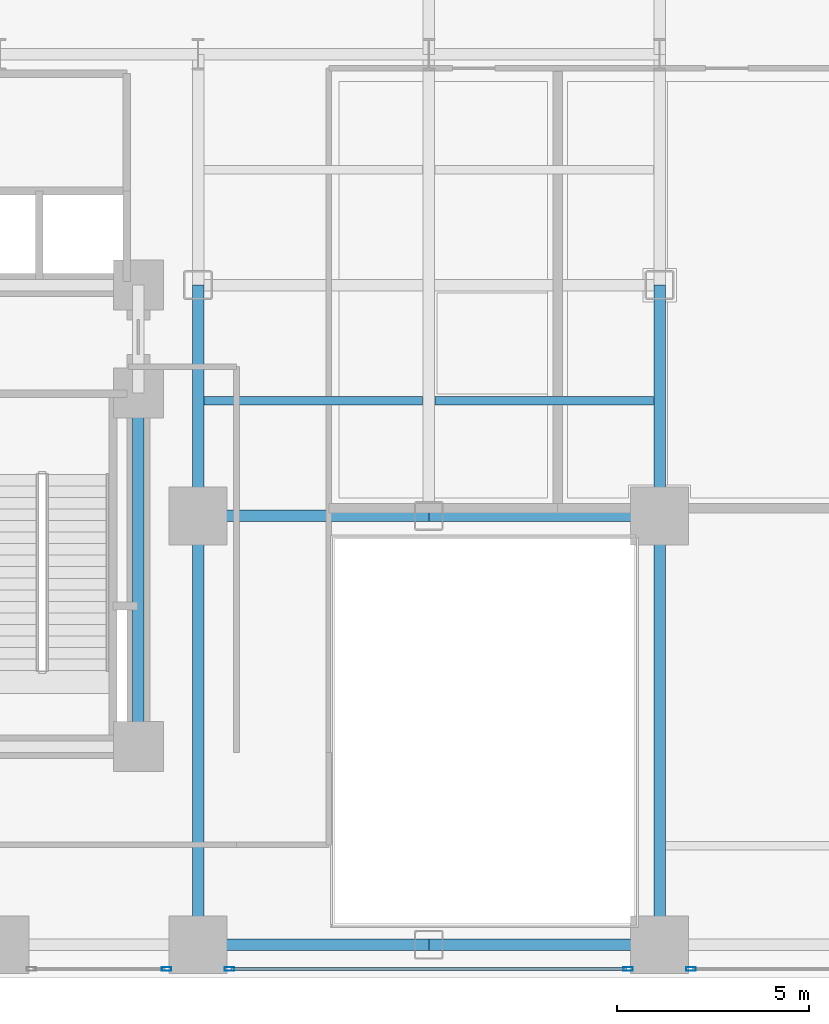
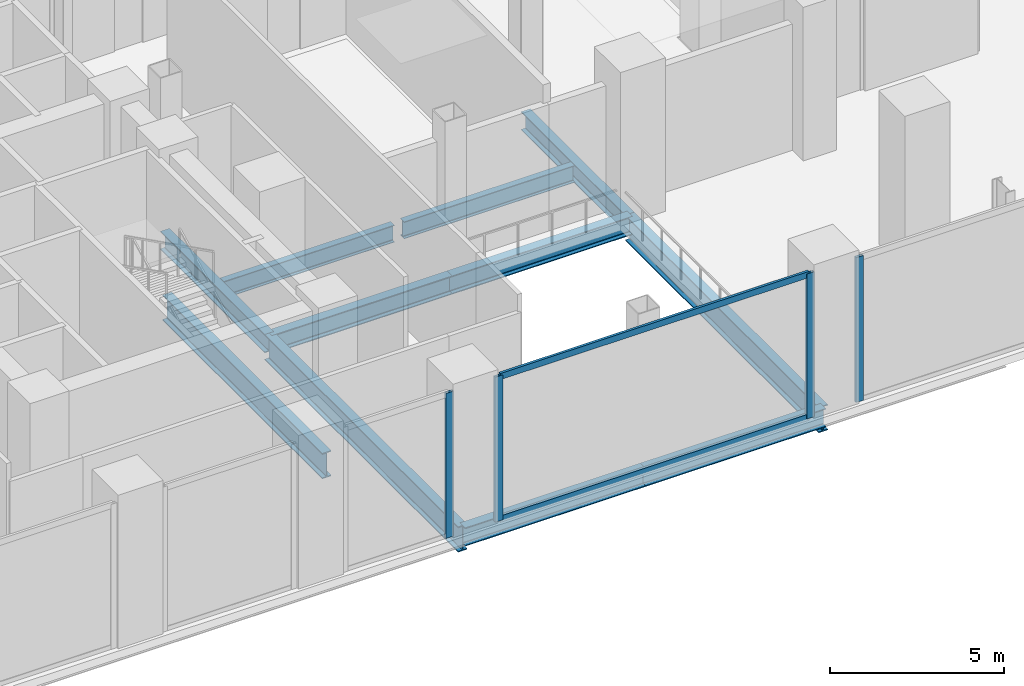
# One storey, part 9 of 28: 11 beams, 6 members, 3 elements without a shape of their own.
"""IFC4 building model written with IfcOpenShell, lengths in metres."""

from ifc_helpers import new_model, si_unit, direction, frame, origin, origin_2d, place, context, subcontext, project, spatial, hollow_rectangle, i_section, extrude, material, layer, layer_set, material_profile, profile_set, type_object, element, aggregate, save


model = new_model("IFC4")

# Units and contexts
model_context = context("Model", 3, precision=1e-05, world=origin(), true_north=direction((0.0, 1.0)))
body_context = subcontext(model_context, "Body", "Model", "MODEL_VIEW")
ifc_project = project(units=[si_unit("LENGTHUNIT", "METRE"), si_unit("AREAUNIT", "SQUARE_METRE"), si_unit("VOLUMEUNIT", "CUBIC_METRE"), si_unit("PLANEANGLEUNIT", "RADIAN"), si_unit("MASSUNIT", "GRAM", prefix="KILO"), si_unit("THERMODYNAMICTEMPERATUREUNIT", "KELVIN"), si_unit("POWERUNIT", "WATT")], contexts=[model_context])

# Site, building, storey
site_placement = place(None, origin())
site = spatial("IfcSite", under=ifc_project, at=site_placement, CompositionType="ELEMENT")
building_placement = place(site_placement, origin())
building = spatial("IfcBuilding", under=site, at=building_placement, Name="Svarakhadi Broadcast Tower", CompositionType="ELEMENT")
storey_placement = place(building_placement, frame((0.0, 0.0, 11.10009765625)))
storey = spatial("IfcBuildingStorey", under=building, at=storey_placement, Name="L02", CompositionType="ELEMENT", Elevation=11.10009765625)

# Beams
ifc_material_1 = material(Name="Steel S355J2 (IS 2062 E350C)", Category="steel")
ifc_material_profile_1 = material_profile(ifc_material_1, i_section(OverallWidth=0.219970703125, OverallDepth=0.60009765625, WebThickness=0.011962890625, FlangeThickness=0.01904296875, FilletRadius=0.02392578125, at=origin_2d()), Name="NPB 600x220x122")
ifc_profile_set_1 = profile_set([ifc_material_profile_1], Name="Steel S355J2 (IS 2062 E350C)")
beam_type_1 = type_object("IfcBeamType", Name="Beam_NPB600", PredefinedType="BEAM", material=ifc_profile_set_1)
for number, where, z_axis, x_axis, name in (
    (1, (35.31005859375, 15.0, -0.5751953125), (1.0, 0.0, 0.0), (0.0, 1.0, 0.0), "L02 Secondary Composite Beam SB017"),
    (2, (41.31005859375, 15.0, -0.5751953125), (1.0, 0.0, 0.0), (0.0, 1.0, 0.0), "L02 Secondary Composite Beam SB019"),
):
    element("IfcBeam", number, at=place(storey_placement, frame(where, z_axis=z_axis, x_axis=x_axis)), inside=storey, type_object=beam_type_1, Name=name, PredefinedType="BEAM", context=body_context, shape_type="SweptSolid", body=[
        extrude(i_section(OverallWidth=0.219970703125, OverallDepth=0.60009765625, WebThickness=0.011962890625, FlangeThickness=0.01904296875, FilletRadius=0.02392578125, at=origin_2d()), origin(), (0.0, 0.0, 1.0), 5.679931640625),
    ])

# Curtain wall, member
ifc_material_2 = material(Name="Anodised Bronze Aluminium AA 6063-T6", Category="aluminium")
ifc_layer = layer(ifc_material_2, 0.25)
ifc_layer_set = layer_set([ifc_layer], Name="Anodised Bronze Aluminium AA 6063-T6")
curtain_wall_type = type_object("IfcCurtainWallType", Name="CW_Sys_01", PredefinedType="NOTDEFINED", material=ifc_layer_set)
curtain_wall_1_placement = place(storey_placement, origin())
curtain_wall_1 = element("IfcCurtainWall", 3, at=curtain_wall_1_placement, inside=storey, type_object=curtain_wall_type, Name="L02 South Curtain Wall 11 Bay 1", PredefinedType="NOTDEFINED")
ifc_material_profile_2 = material_profile(ifc_material_2, hollow_rectangle(XDim=0.094970703125, YDim=0.25, WallThickness=0.006103515625, at=origin_2d()), Name="ALU MULLION 250x95x6")
ifc_profile_set_2 = profile_set([ifc_material_profile_2], Name="Anodised Bronze Aluminium AA 6063-T6")
member_type_1 = type_object("IfcMemberType", Name="CW_Sys_01_Mul", PredefinedType="MULLION", material=ifc_profile_set_2)
member_1_placement = place(storey_placement, frame((47.967529296875, 0.219970703125, 0.0), z_axis=(0.0, 0.0, 1.0), x_axis=(0.0, -1.0, 0.0)))
member_1 = element("IfcMember", 4, at=member_1_placement, type_object=member_type_1, Name="CW-01 mullion 3", PredefinedType="MULLION", context=body_context, shape_type="SweptSolid", body=[
    extrude(hollow_rectangle(XDim=0.094970703125, YDim=0.25, WallThickness=0.006103515625, at=origin_2d()), origin(), (0.0, 0.0, 1.0), 5.099853515625),
])
aggregate(curtain_wall_1, [member_1])

# Curtain wall, members
curtain_wall_2_placement = place(storey_placement, origin())
curtain_wall_2 = element("IfcCurtainWall", 5, at=curtain_wall_2_placement, inside=storey, type_object=curtain_wall_type, Name="L02 South Curtain Wall 11 Bay 2", PredefinedType="NOTDEFINED")
member_2_placement = place(storey_placement, frame((46.33251953125, 0.219970703125, 0.0), z_axis=(0.0, 0.0, 1.0), x_axis=(0.0, -1.0, 0.0)))
member_2 = element("IfcMember", 6, at=member_2_placement, type_object=member_type_1, Name="CW-01 mullion 1", PredefinedType="MULLION", context=body_context, shape_type="SweptSolid", body=[
    extrude(hollow_rectangle(XDim=0.094970703125, YDim=0.25, WallThickness=0.006103515625, at=origin_2d()), origin(), (0.0, 0.0, 1.0), 5.099853515625),
])
member_3_placement = place(storey_placement, frame((35.967529296875, 0.219970703125, 0.0), z_axis=(0.0, 0.0, 1.0), x_axis=(0.0, -1.0, 0.0)))
member_3 = element("IfcMember", 7, at=member_3_placement, type_object=member_type_1, Name="CW-01 mullion 2", PredefinedType="MULLION", context=body_context, shape_type="SweptSolid", body=[
    extrude(hollow_rectangle(XDim=0.094970703125, YDim=0.25, WallThickness=0.006103515625, at=origin_2d()), origin(), (0.0, 0.0, 1.0), 5.099853515625),
])

# Curtain wall, member
curtain_wall_3_placement = place(storey_placement, origin())
curtain_wall_3 = element("IfcCurtainWall", 8, at=curtain_wall_3_placement, inside=storey, type_object=curtain_wall_type, Name="L02 South Curtain Wall 11 Bay 3", PredefinedType="NOTDEFINED")
member_4_placement = place(storey_placement, frame((34.33251953125, 0.219970703125, 0.0), z_axis=(0.0, 0.0, 1.0), x_axis=(0.0, -1.0, 0.0)))
member_4 = element("IfcMember", 9, at=member_4_placement, type_object=member_type_1, Name="CW-01 mullion 1", PredefinedType="MULLION", context=body_context, shape_type="SweptSolid", body=[
    extrude(hollow_rectangle(XDim=0.094970703125, YDim=0.25, WallThickness=0.006103515625, at=origin_2d()), origin(), (0.0, 0.0, 1.0), 5.099853515625),
])
aggregate(curtain_wall_3, [member_4])

# Member
ifc_material_profile_3 = material_profile(ifc_material_2, hollow_rectangle(XDim=0.0849609375, YDim=0.219970703125, WallThickness=0.0048828125, at=origin_2d()), Name="ALU TRANSOM 220x85x5")
ifc_profile_set_3 = profile_set([ifc_material_profile_3], Name="Anodised Bronze Aluminium AA 6063-T6")
member_type_2 = type_object("IfcMemberType", Name="CW_Sys_01_Trn", PredefinedType="USERDEFINED", material=ifc_profile_set_3)
member_5_placement = place(storey_placement, frame((46.284912109375, 0.219970703125, 0.04248046875), z_axis=(-1.0, 0.0, 0.0), x_axis=(0.0, -1.0, 0.0)))
member_5 = element("IfcMember", 10, at=member_5_placement, type_object=member_type_2, Name="CW-01 transom 1.1", ObjectType="TRANSOM", PredefinedType="USERDEFINED", context=body_context, shape_type="SweptSolid", body=[
    extrude(hollow_rectangle(XDim=0.0849609375, YDim=0.219970703125, WallThickness=0.0048828125, at=origin_2d()), origin(), (0.0, 0.0, 1.0), 10.27001953125),
])

member_6_placement = place(storey_placement, frame((46.284912109375, 0.219970703125, 5.057373046875), z_axis=(-1.0, 0.0, 0.0), x_axis=(0.0, -1.0, 0.0)))
member_6 = element("IfcMember", 11, at=member_6_placement, type_object=member_type_2, Name="CW-01 transom 1.2", ObjectType="TRANSOM", PredefinedType="USERDEFINED", context=body_context, shape_type="SweptSolid", body=[
    extrude(hollow_rectangle(XDim=0.0849609375, YDim=0.219970703125, WallThickness=0.0048828125, at=origin_2d()), origin(), (0.0, 0.0, 1.0), 10.27001953125),
])

aggregate(curtain_wall_2, [member_2, member_3, member_5, member_6])

# Beams
ifc_material_profile_4 = material_profile(ifc_material_1, i_section(OverallWidth=0.300048828125, OverallDepth=0.64990234375, WebThickness=0.01611328125, FlangeThickness=0.031005859375, FilletRadius=0.027099609375, at=origin_2d()), Name="WPB 650x300x225")
ifc_profile_set_4 = profile_set([ifc_material_profile_4], Name="Steel S355J2 (IS 2062 E350C)")
beam_type_2 = type_object("IfcBeamType", Name="Girder_WPB650", PredefinedType="USERDEFINED", material=ifc_profile_set_4)
for number, where, z_axis, x_axis, name in (
    (12, (35.14990234375, 0.85009765625, -0.60009765625), (1.0, 0.0, 0.0), (0.0, 1.0, 0.0), "L02 Primary E-W Girder G009"),
    (13, (41.14990234375, 0.85009765625, -0.60009765625), (1.0, 0.0, 0.0), (0.0, 1.0, 0.0), "L02 Primary E-W Girder G010"),
    (14, (35.14990234375, 12.0, -0.60009765625), (1.0, 0.0, 0.0), (0.0, 1.0, 0.0), "L02 Primary E-W Girder G018"),
    (15, (41.14990234375, 12.0, -0.60009765625), (1.0, 0.0, 0.0), (0.0, 1.0, 0.0), "L02 Primary E-W Girder G019"),
    (16, (35.14990234375, 12.0, -0.60009765625), (0.0, 1.0, 0.0), (-1.0, 0.0, 0.0), "L02 Primary N-S Girder G073"),
    (17, (47.14990234375, 12.0, -0.60009765625), (0.0, 1.0, 0.0), (-1.0, 0.0, 0.0), "L02 Primary N-S Girder G079"),
):
    element("IfcBeam", number, at=place(storey_placement, frame(where, z_axis=z_axis, x_axis=x_axis)), inside=storey, type_object=beam_type_2, Name=name, ObjectType="GIRDER", PredefinedType="USERDEFINED", context=body_context, shape_type="SweptSolid", body=[
        extrude(i_section(OverallWidth=0.300048828125, OverallDepth=0.64990234375, WebThickness=0.01611328125, FlangeThickness=0.031005859375, FilletRadius=0.027099609375, at=origin_2d()), origin(), (0.0, 0.0, 1.0), 6.0),
    ])
ifc_material_3 = material(Name="Steel S460ML (IS 2062 E450BR)", Category="steel")
ifc_material_profile_5 = material_profile(ifc_material_3, i_section(OverallWidth=0.300048828125, OverallDepth=0.89990234375, WebThickness=0.0185546875, FlangeThickness=0.034912109375, FilletRadius=0.030029296875, at=origin_2d()), Name="WPB 900x300x291")
ifc_profile_set_5 = profile_set([ifc_material_profile_5], Name="Steel S460ML (IS 2062 E450BR)")
beam_type_3 = type_object("IfcBeamType", Name="Girder_WPB900", PredefinedType="USERDEFINED", material=ifc_profile_set_5)
beam_placement = place(storey_placement, frame((33.60009765625, 6.0, -0.72509765625), z_axis=(0.0, 1.0, 0.0), x_axis=(-1.0, 0.0, 0.0)))
element("IfcBeam", 18, at=beam_placement, inside=storey, type_object=beam_type_3, Name="L02 Primary N-S Girder G070", ObjectType="GIRDER", PredefinedType="USERDEFINED", context=body_context, shape_type="SweptSolid", body=[
    extrude(i_section(OverallWidth=0.300048828125, OverallDepth=0.89990234375, WebThickness=0.0185546875, FlangeThickness=0.034912109375, FilletRadius=0.030029296875, at=origin_2d()), origin(), (0.0, 0.0, 1.0), 9.199951171875),
])
for number, where, z_axis, x_axis, name in (
    (19, (35.14990234375, 0.85009765625, -0.72509765625), (0.0, 1.0, 0.0), (-1.0, 0.0, 0.0), "L02 Primary N-S Girder G072"),
    (20, (47.14990234375, 0.85009765625, -0.72509765625), (0.0, 1.0, 0.0), (-1.0, 0.0, 0.0), "L02 Primary N-S Girder G078"),
):
    element("IfcBeam", number, at=place(storey_placement, frame(where, z_axis=z_axis, x_axis=x_axis)), inside=storey, type_object=beam_type_3, Name=name, ObjectType="GIRDER", PredefinedType="USERDEFINED", context=body_context, shape_type="SweptSolid", body=[
        extrude(i_section(OverallWidth=0.300048828125, OverallDepth=0.89990234375, WebThickness=0.0185546875, FlangeThickness=0.034912109375, FilletRadius=0.030029296875, at=origin_2d()), origin(), (0.0, 0.0, 1.0), 11.14990234375),
    ])

save(model, "model.ifc")
